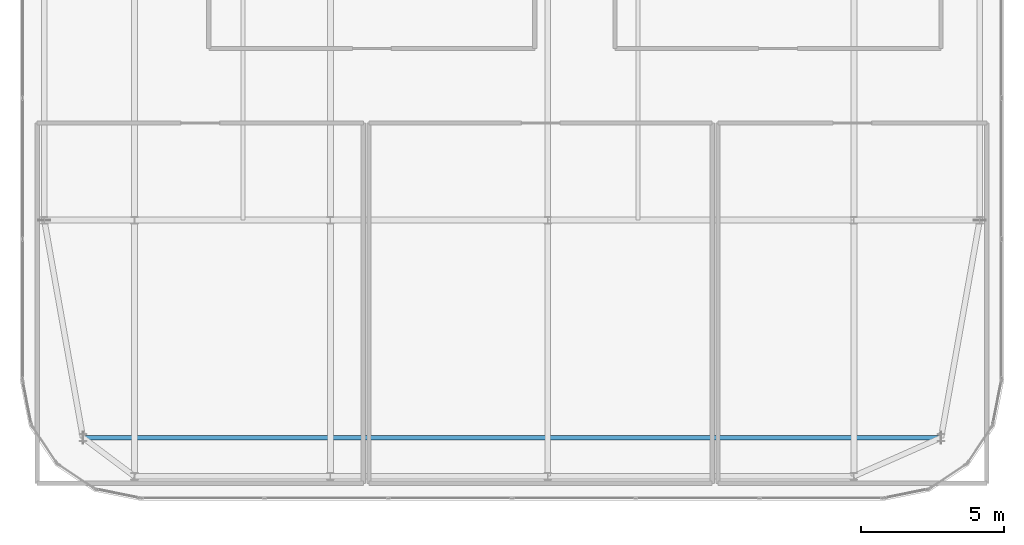
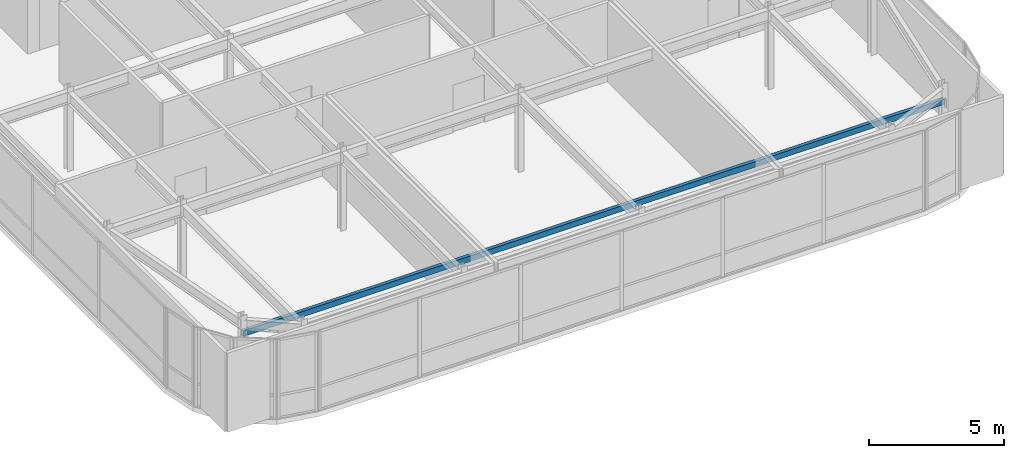
# One storey, part 11 of 36: 1 member.
"""IFC4 building model written with IfcOpenShell, lengths in metres."""

from ifc_helpers import new_model, si_unit, direction, frame, origin, origin_2d, place, context, subcontext, project, spatial, hollow_rectangle, extrude, source, transform, mapped, material, material_profile, profile_set, type_object, type_shapes, element, save


model = new_model("IFC4")

# Units and contexts
model_context = context("Model", 3, precision=1e-05, world=origin(), true_north=direction((0.0, 1.0)))
body_context = subcontext(model_context, "Body", "Model", "MODEL_VIEW")
ifc_project = project(units=[si_unit("LENGTHUNIT", "METRE"), si_unit("AREAUNIT", "SQUARE_METRE"), si_unit("VOLUMEUNIT", "CUBIC_METRE"), si_unit("PLANEANGLEUNIT", "RADIAN"), si_unit("MASSUNIT", "GRAM", prefix="KILO")], contexts=[model_context])

# Site, building, storey
site_placement = place(None, origin())
site = spatial("IfcSite", under=ifc_project, at=site_placement, CompositionType="ELEMENT")
building_placement = place(site_placement, origin())
building = spatial("IfcBuilding", under=site, at=building_placement, Name="Tolvann Quenvar Hotel", CompositionType="ELEMENT")
storey_placement = place(building_placement, frame((0.0, 0.0, 306.14990234375)))
storey = spatial("IfcBuildingStorey", under=building, at=storey_placement, Name="L81", CompositionType="ELEMENT", Elevation=306.14990234375)

# Member
ifc_material = material(Name="Steel Grade 450 (C450L0)", Category="steel")
ifc_material_profile = material_profile(ifc_material, hollow_rectangle(XDim=0.14990234375, YDim=0.25, WallThickness=0.009033203125, at=origin_2d()), Name="250x150x9RHS")
ifc_profile_set = profile_set([ifc_material_profile], Name="Steel Grade 450 (C450L0)")
member_type = type_object("IfcMemberType", Name="MEM_CROWN_250RHS", PredefinedType="USERDEFINED", material=ifc_profile_set)
shared_shape = source(origin(), body_context, "Body", "SweptSolid", [
    extrude(hollow_rectangle(XDim=0.14990234375, YDim=0.25, WallThickness=0.009033203125, at=origin_2d()), origin(), (0.0, 0.0, 1.0), 30.0),
])
type_shapes(member_type, [shared_shape])
member_placement = place(storey_placement, frame((5.800048828125, 8.39990234375, 2.93017578125), z_axis=(1.0, 0.0, 0.0), x_axis=(0.0, 1.0, 0.0)))
element("IfcMember", 1, at=member_placement, inside=storey, type_object=member_type, Name="Crown Frame Ring Member (L81-1)", ObjectType="CROWN FRAME", PredefinedType="USERDEFINED", context=body_context, shape_type="MappedRepresentation", body=[
    mapped(shared_shape, transform((0.0, 0.0, 0.0), x_axis=(1.0, 0.0, 0.0), y_axis=(0.0, 1.0, 0.0), z_axis=(0.0, 0.0, 1.0), scale=1.0)),
])

save(model, "model.ifc")
